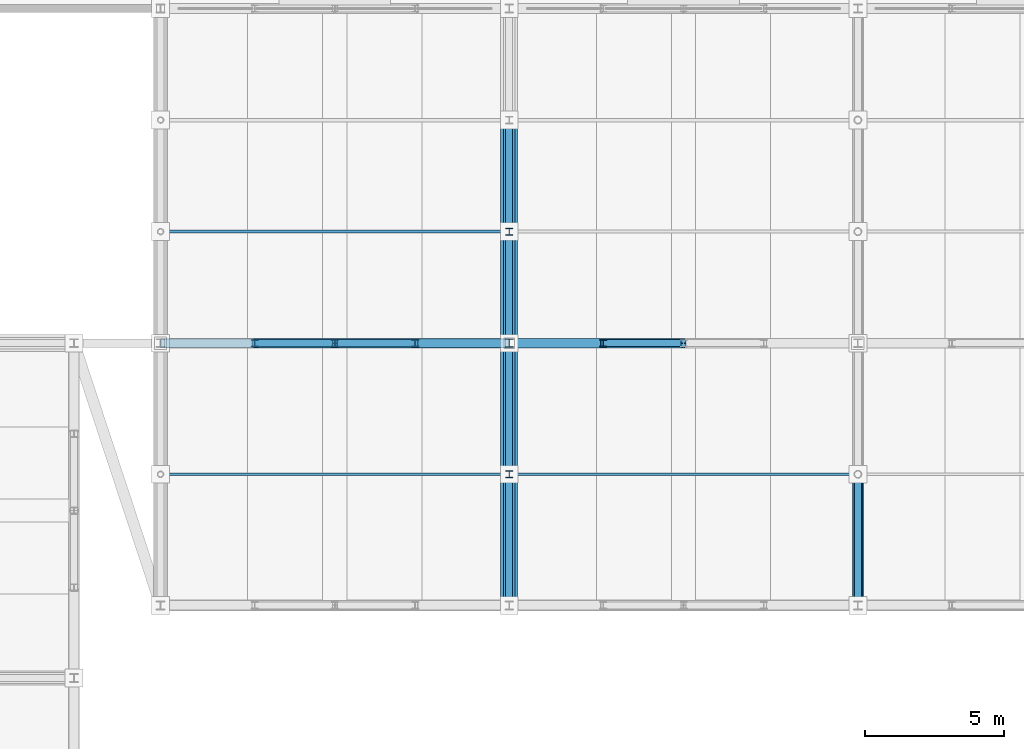
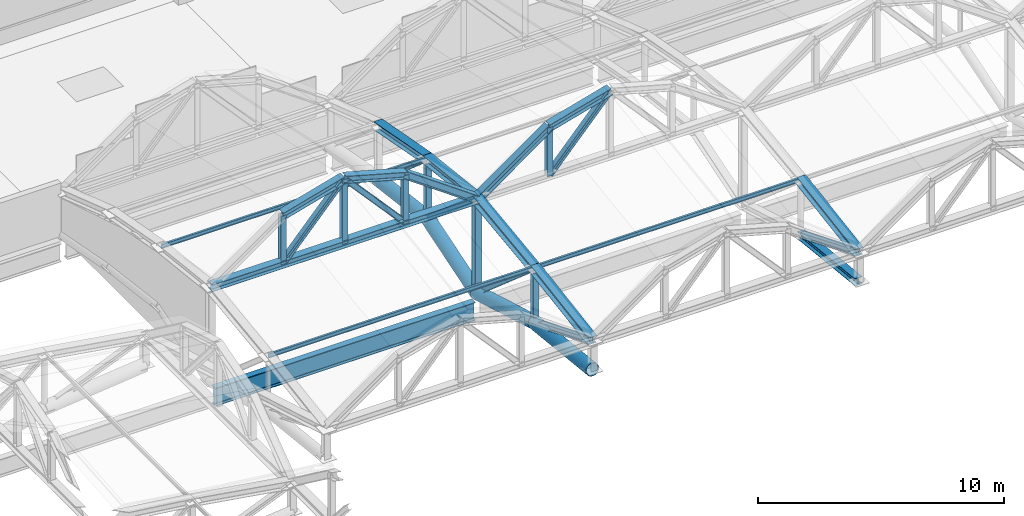
# One storey, part 46 of 117: 34 members, 1 beam.
"""IFC4 building model written with IfcOpenShell, lengths in metres."""

import ifcopenshell
import ifcopenshell.guid

model = None  # the IFC model being written
_history = None  # IfcOwnerHistory: only IFC2X3 demands one
_inside = {}  # id of a spatial element -> (the spatial element, [elements in it])
_under = {}  # id of a project, library or spatial element -> (it, [spatial elements below it])
_declared = {}  # id of a project -> (the project, [libraries it declares])
_typed = {}  # id of a type object -> (the type object, [elements of that type])
_made_of = {}  # id of a material, layer set ... -> (it, [elements and type objects made of it])


def new_model(schema):
    """Start an empty IFC model of exactly this schema.

    Asked for "IFC4X3", IfcOpenShell would pick the latest addendum, in which some entities
    have other attributes; the version numbers below select the first issue.
    IFC2X3 requires an IfcOwnerHistory on every rooted entity: one is made here for all.
    """
    global model, _history
    if schema == "IFC4X3":
        model = ifcopenshell.file(schema_version=(4, 3, 0, 0))
    else:
        model = ifcopenshell.file(schema=schema)
    _inside.clear()
    _under.clear()
    _declared.clear()
    _typed.clear()
    _made_of.clear()
    _history = None
    if model.schema == "IFC2X3":
        org = make("IfcOrganization", Name="unknown")
        user = make(
            "IfcPersonAndOrganization",
            ThePerson=make("IfcPerson", FamilyName="unknown"),
            TheOrganization=org,
        )
        app = make(
            "IfcApplication",
            ApplicationDeveloper=org,
            Version="unknown",
            ApplicationFullName="unknown",
            ApplicationIdentifier="unknown",
        )
        _history = make(
            "IfcOwnerHistory",
            OwningUser=user,
            OwningApplication=app,
            ChangeAction="ADDED",
            CreationDate=0,
        )
    return model


def make(cls, **values):
    """One entity of the class cls with the attributes given. An attribute that is None is left unset."""
    return model.create_entity(
        cls, **{name: value for name, value in values.items() if value is not None}
    )


def rooted(cls, **values):
    """An entity with a GlobalId (a new one), such as an element, a storey or a relation."""
    return make(cls, GlobalId=ifcopenshell.guid.new(), OwnerHistory=_history, **values)


def si_unit(unit_type, name, prefix=None):
    """IfcSIUnit, for example si_unit("LENGTHUNIT", "METRE", prefix="MILLI")."""
    return make("IfcSIUnit", UnitType=unit_type, Prefix=prefix, Name=name)


def assignment(units):
    """IfcUnitAssignment: the units of a project."""
    return None if units is None else make("IfcUnitAssignment", Units=units)


def point(xyz):
    """IfcCartesianPoint."""
    return None if xyz is None else make("IfcCartesianPoint", Coordinates=xyz)


def direction(xyz):
    """IfcDirection."""
    return None if xyz is None else make("IfcDirection", DirectionRatios=xyz)


def frame(location, z_axis=None, x_axis=None):
    """IfcAxis2Placement3D, a coordinate frame: its origin and axes. An axis left out is left unset."""
    return make(
        "IfcAxis2Placement3D",
        Location=point(location),
        Axis=direction(z_axis),
        RefDirection=direction(x_axis),
    )


def frame_2d(location, x_axis=None):
    """IfcAxis2Placement2D, a coordinate frame in the plane: its origin and x axis."""
    return make(
        "IfcAxis2Placement2D", Location=point(location), RefDirection=direction(x_axis)
    )


def origin():
    """The frame at (0, 0, 0) with its axes left unset."""
    return frame((0.0, 0.0, 0.0))


def origin_2d():
    """The frame at (0, 0) in the plane with its x axis left unset."""
    return frame_2d((0.0, 0.0))


def place(relative_to, where):
    """IfcLocalPlacement: puts the frame where relative to a parent placement (None: the world)."""
    return make(
        "IfcLocalPlacement", PlacementRelTo=relative_to, RelativePlacement=where
    )


def context(
    kind, dimensions, precision=None, world=None, true_north=None, identifier=None
):
    """IfcGeometricRepresentationContext, for example the 3D "Model" context."""
    return make(
        "IfcGeometricRepresentationContext",
        ContextIdentifier=identifier,
        ContextType=kind,
        CoordinateSpaceDimension=dimensions,
        Precision=precision,
        WorldCoordinateSystem=world,
        TrueNorth=true_north,
    )


def subcontext(parent, identifier, kind, view, scale=None):
    """IfcGeometricRepresentationSubContext, for example "Body" below "Model"."""
    return make(
        "IfcGeometricRepresentationSubContext",
        ContextIdentifier=identifier,
        ContextType=kind,
        ParentContext=parent,
        TargetScale=scale,
        TargetView=view,
    )


def project(units=None, contexts=None):
    """IfcProject with its units and contexts."""
    return rooted(
        "IfcProject",
        Name="project",
        RepresentationContexts=contexts,
        UnitsInContext=assignment(units),
    )


def spatial(cls, under=None, at=None, **own):
    """A site, building, storey or space (cls), placed at a placement, below another one or the project."""
    s = rooted(cls, ObjectPlacement=at, **own)
    if under is not None:
        _under.setdefault(under.id(), (under, []))[1].append(s)
    return s


def profile(cls, at=None, kind="AREA", **sizes):
    """A parametric profile (cls). Its sizes go by their IFC names, for example OverallWidth=200.0."""
    return make(cls, ProfileType=kind, Position=at, **sizes)


def hollow_circle(**sizes):
    """IfcCircleHollowProfileDef."""
    return profile("IfcCircleHollowProfileDef", **sizes)


def i_section(**sizes):
    """IfcIShapeProfileDef."""
    return profile("IfcIShapeProfileDef", **sizes)


def extrude(swept, where, along, depth):
    """IfcExtrudedAreaSolid: the profile swept, set in the frame where, extruded along a direction by depth."""
    return make(
        "IfcExtrudedAreaSolid",
        SweptArea=swept,
        Position=where,
        ExtrudedDirection=direction(along),
        Depth=depth,
    )


def shape(context_of_items, identifier, shape_type, items):
    """IfcShapeRepresentation: the items that make up one representation, for example the "Body"."""
    return make(
        "IfcShapeRepresentation",
        ContextOfItems=context_of_items,
        RepresentationIdentifier=identifier,
        RepresentationType=shape_type,
        Items=items,
    )


def material(Name=None, Category=None):
    """IfcMaterial."""
    return make("IfcMaterial", Name=Name, Category=Category)


def material_profile(
    of_material, cross_section, Name=None, Category=None, Priority=None
):
    """IfcMaterialProfile: a cross section and its material."""
    return make(
        "IfcMaterialProfile",
        Name=Name,
        Material=of_material,
        Profile=cross_section,
        Priority=Priority,
        Category=Category,
    )


def profile_set(profiles, Name=None, composite=None):
    """IfcMaterialProfileSet."""
    return make(
        "IfcMaterialProfileSet",
        Name=Name,
        MaterialProfiles=profiles,
        CompositeProfile=composite,
    )


def made_of(thing, what):
    """Note that an element or type object is made of a material, layer set ...; save() writes the relation."""
    if what is not None:
        _made_of.setdefault(what.id(), (what, []))[1].append(thing)
    return thing


def type_object(cls, material=None, **own):
    """A type object (cls), such as IfcWallType, which elements share."""
    return made_of(rooted(cls, **own), material)


def element(
    cls,
    number,
    at=None,
    inside=None,
    cuts=None,
    type_object=None,
    material=None,
    context=None,
    identifier="Body",
    shape_type=None,
    held_by="IfcProductDefinitionShape",
    body=None,
    shapes=None,
    **own,
):
    """One element of the class cls, such as IfcWall. Its Tag is "e" and its number.

    at: its placement. inside: the storey or other place that contains it. cuts: it is an
    opening in that element (IfcRelVoidsElement). A single representation is given by context,
    identifier, shape_type and body (its items); several are given by shapes. held_by: the class
    of the entity that holds the representations. save() writes the other relations.
    """
    e = rooted(cls, Tag="e%d" % number, ObjectPlacement=at, **own)
    if body is not None:
        shapes = [shape(context, identifier, shape_type, body)]
    if shapes is not None:
        e.Representation = make(held_by, Representations=shapes)
    if inside is not None:
        _inside.setdefault(inside.id(), (inside, []))[1].append(e)
    if cuts is not None:
        rooted(
            "IfcRelVoidsElement", RelatingBuildingElement=cuts, RelatedOpeningElement=e
        )
    if type_object is not None:
        _typed.setdefault(type_object.id(), (type_object, []))[1].append(e)
    return made_of(e, material)


def aggregate(whole, parts):
    """IfcRelAggregates: a whole, such as a stair, and the parts it consists of."""
    return rooted("IfcRelAggregates", RelatingObject=whole, RelatedObjects=parts)


def save(model, path):
    """Write the relations noted so far, then the file.

    IfcRelAggregates (storeys below a building ...), IfcRelContainedInSpatialStructure (elements
    in a storey), IfcRelDefinesByType, IfcRelAssociatesMaterial and IfcRelDeclares: one each for
    every whole, place, type object, material and project.
    """
    for whole, parts in _under.values():
        aggregate(whole, parts)
    for where, things in _inside.values():
        rooted(
            "IfcRelContainedInSpatialStructure",
            RelatedElements=things,
            RelatingStructure=where,
        )
    for kind, things in _typed.values():
        rooted("IfcRelDefinesByType", RelatedObjects=things, RelatingType=kind)
    for what, things in _made_of.values():
        rooted("IfcRelAssociatesMaterial", RelatedObjects=things, RelatingMaterial=what)
    for by, libraries in _declared.values():
        rooted("IfcRelDeclares", RelatingContext=by, RelatedDefinitions=libraries)
    model.write(path)


model = new_model("IFC4")

# Units and contexts
model_context = context("Model", 3, precision=1e-05, world=origin(), true_north=direction((0.0, 1.0)))
body_context = subcontext(model_context, "Body", "Model", "MODEL_VIEW")
ifc_project = project(units=[si_unit("LENGTHUNIT", "METRE"), si_unit("AREAUNIT", "SQUARE_METRE"), si_unit("VOLUMEUNIT", "CUBIC_METRE"), si_unit("PLANEANGLEUNIT", "RADIAN"), si_unit("MASSUNIT", "GRAM", prefix="KILO")], contexts=[model_context])

# Site, building, storey
site_placement = place(None, origin())
site = spatial("IfcSite", under=ifc_project, at=site_placement, CompositionType="ELEMENT")
building_placement = place(site_placement, origin())
building = spatial("IfcBuilding", under=site, at=building_placement, Name="Kazenohara Klinker Stadium", CompositionType="ELEMENT")
storey_placement = place(building_placement, frame((0.0, 0.0, 31.199951171875)))
storey = spatial("IfcBuildingStorey", under=building, at=storey_placement, Name="RF", CompositionType="ELEMENT", Elevation=31.199951171875)

# Members
ifc_material = material(Name="Steel S355", Category="steel")
ifc_material_profile_1 = material_profile(ifc_material, i_section(OverallWidth=0.25, OverallDepth=0.25, WebThickness=0.009033203125, FlangeThickness=0.013916015625, FilletRadius=0.012939453125, at=origin_2d()), Name="H-250x250x9x14")
ifc_profile_set_1 = profile_set([ifc_material_profile_1], Name="Steel S355")
member_type_1 = type_object("IfcMemberType", Name="MEM-BRC02", PredefinedType="BRACE", material=ifc_profile_set_1)
member_1_placement = place(storey_placement, frame((74.0, 140.0, 0.75), z_axis=(0.0, -0.757253091298, 0.653121547432), x_axis=(1.0, 0.0, 0.0)))
element("IfcMember", 1, at=member_1_placement, inside=storey, type_object=member_type_1, Name="ROOF TRUSS RT-N02 web diagonal 2", PredefinedType="BRACE", context=body_context, shape_type="SweptSolid", body=[
    extrude(i_section(OverallWidth=0.25, OverallDepth=0.25, WebThickness=0.009033203125, FlangeThickness=0.013916015625, FilletRadius=0.012939453125, at=origin_2d()), origin(), (0.0, 0.0, 1.0), 5.2822265625),
])
member_2_placement = place(storey_placement, frame((74.0, 136.0, 1.25), z_axis=(0.0, -0.761925548551, 0.647664618815), x_axis=(1.0, 0.0, 0.0)))
element("IfcMember", 2, at=member_2_placement, inside=storey, type_object=member_type_1, Name="ROOF TRUSS RT-N02 web diagonal 3", PredefinedType="BRACE", context=body_context, shape_type="SweptSolid", body=[
    extrude(i_section(OverallWidth=0.25, OverallDepth=0.25, WebThickness=0.009033203125, FlangeThickness=0.013916015625, FilletRadius=0.012939453125, at=origin_2d()), origin(), (0.0, 0.0, 1.0), 5.249755859375),
])
member_3_placement = place(storey_placement, frame((74.0, 132.0, -0.02001953125), z_axis=(0.0, -0.755945561544, 0.65463448426), x_axis=(1.0, 0.0, 0.0)))
element("IfcMember", 3, at=member_3_placement, inside=storey, type_object=member_type_1, Name="ROOF TRUSS RT-N02 web diagonal 4", PredefinedType="BRACE", context=body_context, shape_type="SweptSolid", body=[
    extrude(i_section(OverallWidth=0.25, OverallDepth=0.25, WebThickness=0.009033203125, FlangeThickness=0.013916015625, FilletRadius=0.012939453125, at=origin_2d()), origin(), (0.0, 0.0, 1.0), 6.21728515625),
])
for number, where, z_axis, x_axis, name in (
    (4, (74.0, 127.300048828125, 1.35009765625), (0.0, -0.923659284192, 0.383214726655), (1.0, 0.0, 0.0), "ROOF TRUSS RT-N02 web diagonal 5"),
    (5, (86.5, 127.300048828125, 1.35009765625), (0.0, -0.923659284192, 0.383214726655), (1.0, 0.0, 0.0), "ROOF TRUSS RT-N03 web diagonal 5"),
):
    element("IfcMember", number, at=place(storey_placement, frame(where, z_axis=z_axis, x_axis=x_axis)), inside=storey, type_object=member_type_1, Name=name, PredefinedType="BRACE", context=body_context, shape_type="SweptSolid", body=[
        extrude(i_section(OverallWidth=0.25, OverallDepth=0.25, WebThickness=0.009033203125, FlangeThickness=0.013916015625, FilletRadius=0.012939453125, at=origin_2d()), origin(), (0.0, 0.0, 1.0), 5.08837890625),
    ])
ifc_material_profile_2 = material_profile(ifc_material, i_section(OverallWidth=0.39990234375, OverallDepth=0.39990234375, WebThickness=0.012939453125, FlangeThickness=0.02099609375, FilletRadius=0.02197265625, at=origin_2d()), Name="H-400x400x13x21")
ifc_profile_set_2 = profile_set([ifc_material_profile_2], Name="Steel S355")
member_type_2 = type_object("IfcMemberType", Name="MEM-CHD01", PredefinedType="CHORD", material=ifc_profile_set_2)
member_4_placement = place(storey_placement, frame((74.0, 140.0, 3.449951171875), z_axis=(0.0, -0.982872186934, 0.18428853505), x_axis=(1.0, 0.0, 0.0)))
element("IfcMember", 6, at=member_4_placement, inside=storey, type_object=member_type_2, Name="ROOF TRUSS RT-N02 top arched chord 2", PredefinedType="CHORD", context=body_context, shape_type="SweptSolid", body=[
    extrude(i_section(OverallWidth=0.39990234375, OverallDepth=0.39990234375, WebThickness=0.012939453125, FlangeThickness=0.02099609375, FilletRadius=0.02197265625, at=origin_2d()), origin(), (0.0, 0.0, 1.0), 4.06982421875),
])
member_5_placement = place(storey_placement, frame((74.0, 136.0, 4.199951171875), z_axis=(0.0, -0.993725924527, 0.111842688283), x_axis=(1.0, 0.0, 0.0)))
element("IfcMember", 7, at=member_5_placement, inside=storey, type_object=member_type_2, Name="ROOF TRUSS RT-N02 top arched chord 3", PredefinedType="CHORD", context=body_context, shape_type="SweptSolid", body=[
    extrude(i_section(OverallWidth=0.39990234375, OverallDepth=0.39990234375, WebThickness=0.012939453125, FlangeThickness=0.02099609375, FilletRadius=0.02197265625, at=origin_2d()), origin(), (0.0, 0.0, 1.0), 4.025146484375),
])
member_6_placement = place(storey_placement, frame((74.0, 132.0, 4.650146484375), z_axis=(0.0, -0.99194702514, -0.126653461524), x_axis=(1.0, 0.0, 0.0)))
element("IfcMember", 8, at=member_6_placement, inside=storey, type_object=member_type_2, Name="ROOF TRUSS RT-N02 top arched chord 4", PredefinedType="CHORD", context=body_context, shape_type="SweptSolid", body=[
    extrude(i_section(OverallWidth=0.39990234375, OverallDepth=0.39990234375, WebThickness=0.012939453125, FlangeThickness=0.02099609375, FilletRadius=0.02197265625, at=origin_2d()), origin(), (0.0, 0.0, 1.0), 4.738037109375),
])
for number, where, z_axis, x_axis, name in (
    (9, (74.0, 127.300048828125, 4.050048828125), (0.0, -0.987505848374, -0.157582357602), (1.0, 0.0, 0.0), "ROOF TRUSS RT-N02 top arched chord 5"),
    (10, (86.5, 127.300048828125, 4.050048828125), (0.0, -0.987505848374, -0.157582357602), (1.0, 0.0, 0.0), "ROOF TRUSS RT-N03 top arched chord 5"),
):
    element("IfcMember", number, at=place(storey_placement, frame(where, z_axis=z_axis, x_axis=x_axis)), inside=storey, type_object=member_type_2, Name=name, PredefinedType="CHORD", context=body_context, shape_type="SweptSolid", body=[
        extrude(i_section(OverallWidth=0.39990234375, OverallDepth=0.39990234375, WebThickness=0.012939453125, FlangeThickness=0.02099609375, FilletRadius=0.02197265625, at=origin_2d()), origin(), (0.0, 0.0, 1.0), 4.759521484375),
    ])
ifc_material_profile_3 = material_profile(ifc_material, i_section(OverallWidth=0.35009765625, OverallDepth=0.35009765625, WebThickness=0.011962890625, FlangeThickness=0.01904296875, FilletRadius=0.012939453125, at=origin_2d()), Name="H-350x350x12x19")
ifc_profile_set_3 = profile_set([ifc_material_profile_3], Name="Steel S355")
member_type_3 = type_object("IfcMemberType", Name="MEM-CHD02", PredefinedType="CHORD", material=ifc_profile_set_3)
member_7_placement = place(storey_placement, frame((86.5, 127.300048828125, 1.35009765625), z_axis=(0.0, -0.99438879757, 0.105787141313), x_axis=(1.0, 0.0, 0.0)))
element("IfcMember", 11, at=member_7_placement, inside=storey, type_object=member_type_3, Name="ROOF TRUSS RT-N03 bottom arched chord 5", PredefinedType="CHORD", context=body_context, shape_type="SweptSolid", body=[
    extrude(i_section(OverallWidth=0.35009765625, OverallDepth=0.35009765625, WebThickness=0.011962890625, FlangeThickness=0.01904296875, FilletRadius=0.012939453125, at=origin_2d()), origin(), (0.0, 0.0, 1.0), 4.7265625),
])
member_8_placement = place(storey_placement, frame((61.5, 132.0, 4.650146484375), z_axis=(1.0, 0.0, 0.0), x_axis=(0.0, 1.0, 0.0)))
element("IfcMember", 12, at=member_8_placement, inside=storey, type_object=member_type_3, Name="Barrel arch tie chord TC02 N-01-N3", PredefinedType="CHORD", context=body_context, shape_type="SweptSolid", body=[
    extrude(i_section(OverallWidth=0.35009765625, OverallDepth=0.35009765625, WebThickness=0.011962890625, FlangeThickness=0.01904296875, FilletRadius=0.012939453125, at=origin_2d()), origin(), (0.0, 0.0, 1.0), 12.5),
])
for number, where, z_axis, x_axis, name in (
    (13, (64.875, 132.0, 7.050048828125), (0.963393567269, 0.0, 0.268091093745), (0.0, 1.0, 0.0), "Barrel arch top rib TC02 N-01-N3-S2"),
    (14, (67.75, 132.0, 7.85009765625), (0.963393567269, 0.0, -0.268091093745), (0.0, 1.0, 0.0), "Barrel arch top rib TC02 N-01-N3-S3"),
):
    element("IfcMember", number, at=place(storey_placement, frame(where, z_axis=z_axis, x_axis=x_axis)), inside=storey, type_object=member_type_3, Name=name, PredefinedType="CHORD", context=body_context, shape_type="SweptSolid", body=[
        extrude(i_section(OverallWidth=0.35009765625, OverallDepth=0.35009765625, WebThickness=0.011962890625, FlangeThickness=0.01904296875, FilletRadius=0.012939453125, at=origin_2d()), origin(), (0.0, 0.0, 1.0), 2.984130859375),
    ])
for number, where, z_axis, x_axis, name in (
    (15, (70.625, 132.0, 7.050048828125), (0.814966461491, 0.0, -0.579508124744), (0.0, 1.0, 0.0), "Barrel arch top rib TC02 N-01-N3-S4"),
    (16, (74.0, 132.0, 4.650146484375), (0.814966461491, 0.0, 0.579508124744), (0.0, 1.0, 0.0), "Barrel arch top rib TC02 N-02-N3-S1"),
):
    element("IfcMember", number, at=place(storey_placement, frame(where, z_axis=z_axis, x_axis=x_axis)), inside=storey, type_object=member_type_3, Name=name, PredefinedType="CHORD", context=body_context, shape_type="SweptSolid", body=[
        extrude(i_section(OverallWidth=0.35009765625, OverallDepth=0.35009765625, WebThickness=0.011962890625, FlangeThickness=0.01904296875, FilletRadius=0.012939453125, at=origin_2d()), origin(), (0.0, 0.0, 1.0), 4.141357421875),
    ])
member_9_placement = place(storey_placement, frame((77.375, 132.0, 7.050048828125), z_axis=(0.963393567269, 0.0, 0.268091093745), x_axis=(0.0, 1.0, 0.0)))
element("IfcMember", 17, at=member_9_placement, inside=storey, type_object=member_type_3, Name="Barrel arch top rib TC02 N-02-N3-S2", PredefinedType="CHORD", context=body_context, shape_type="SweptSolid", body=[
    extrude(i_section(OverallWidth=0.35009765625, OverallDepth=0.35009765625, WebThickness=0.011962890625, FlangeThickness=0.01904296875, FilletRadius=0.012939453125, at=origin_2d()), origin(), (0.0, 0.0, 1.0), 2.984130859375),
])
ifc_material_profile_4 = material_profile(ifc_material, hollow_circle(Radius=0.3046875, WallThickness=0.01611328125, at=origin_2d()), Name="CHS-609.6x16")
ifc_profile_set_4 = profile_set([ifc_material_profile_4], Name="Steel S355")
member_type_4 = type_object("IfcMemberType", Name="MEM-CHD05", PredefinedType="CHORD", material=ifc_profile_set_4)
member_10_placement = place(storey_placement, frame((74.0, 140.0, 0.75), z_axis=(0.0, -0.992277876714, 0.124034734589), x_axis=(1.0, 0.0, 0.0)))
element("IfcMember", 18, at=member_10_placement, inside=storey, type_object=member_type_4, Name="ROOF TRUSS RT-N02 bottom arched chord 2", PredefinedType="CHORD", context=body_context, shape_type="SweptSolid", body=[
    extrude(hollow_circle(Radius=0.3046875, WallThickness=0.01611328125, at=origin_2d()), origin(), (0.0, 0.0, 1.0), 4.03125),
])
member_11_placement = place(storey_placement, frame((74.0, 136.0, 1.25), z_axis=(0.0, -0.953112016541, -0.302617719119), x_axis=(1.0, 0.0, 0.0)))
element("IfcMember", 19, at=member_11_placement, inside=storey, type_object=member_type_4, Name="ROOF TRUSS RT-N02 bottom arched chord 3", PredefinedType="CHORD", context=body_context, shape_type="SweptSolid", body=[
    extrude(hollow_circle(Radius=0.3046875, WallThickness=0.01611328125, at=origin_2d()), origin(), (0.0, 0.0, 1.0), 4.19677734375),
])
member_12_placement = place(storey_placement, frame((74.0, 132.0, -0.02001953125), z_axis=(0.0, -0.960038530088, 0.279867863012), x_axis=(1.0, 0.0, 0.0)))
element("IfcMember", 20, at=member_12_placement, inside=storey, type_object=member_type_4, Name="ROOF TRUSS RT-N02 bottom arched chord 4", PredefinedType="CHORD", context=body_context, shape_type="SweptSolid", body=[
    extrude(hollow_circle(Radius=0.3046875, WallThickness=0.01611328125, at=origin_2d()), origin(), (0.0, 0.0, 1.0), 4.8955078125),
])
member_13_placement = place(storey_placement, frame((74.0, 127.300048828125, 1.35009765625), z_axis=(0.0, -0.99438879757, 0.105787141313), x_axis=(1.0, 0.0, 0.0)))
element("IfcMember", 21, at=member_13_placement, inside=storey, type_object=member_type_4, Name="ROOF TRUSS RT-N02 bottom arched chord 5", PredefinedType="CHORD", context=body_context, shape_type="SweptSolid", body=[
    extrude(hollow_circle(Radius=0.3046875, WallThickness=0.01611328125, at=origin_2d()), origin(), (0.0, 0.0, 1.0), 4.7265625),
])
ifc_material_profile_5 = material_profile(ifc_material, i_section(OverallWidth=0.10009765625, OverallDepth=0.199951171875, WebThickness=0.005615234375, FlangeThickness=0.008056640625, FilletRadius=0.008056640625, at=origin_2d()), Name="H-200x100x5.5x8")
ifc_profile_set_5 = profile_set([ifc_material_profile_5], Name="Steel S355")
member_type_5 = type_object("IfcMemberType", Name="MEM-PUR02", PredefinedType="PURLIN", material=ifc_profile_set_5)
for number, where, z_axis, x_axis, name in (
    (22, (61.5, 136.0, 4.219970703125), (1.0, 0.0, 0.0), (0.0, 1.0, 0.0), "Canopy valley tie purlin PR02 N-01-N2"),
    (23, (61.5, 127.300048828125, 4.070068359375), (1.0, 0.0, 0.0), (0.0, 1.0, 0.0), "Canopy valley tie purlin PR02 N-01-N4"),
    (24, (74.0, 127.300048828125, 4.070068359375), (1.0, 0.0, 0.0), (0.0, 1.0, 0.0), "Canopy valley tie purlin PR02 N-02-N4"),
):
    element("IfcMember", number, at=place(storey_placement, frame(where, z_axis=z_axis, x_axis=x_axis)), inside=storey, type_object=member_type_5, Name=name, PredefinedType="PURLIN", context=body_context, shape_type="SweptSolid", body=[
        extrude(i_section(OverallWidth=0.10009765625, OverallDepth=0.199951171875, WebThickness=0.005615234375, FlangeThickness=0.008056640625, FilletRadius=0.008056640625, at=origin_2d()), origin(), (0.0, 0.0, 1.0), 12.5),
    ])
ifc_material_profile_6 = material_profile(ifc_material, i_section(OverallWidth=0.300048828125, OverallDepth=0.300048828125, WebThickness=0.010009765625, FlangeThickness=0.014892578125, FilletRadius=0.012939453125, at=origin_2d()), Name="H-300x300x10x15")
ifc_profile_set_6 = profile_set([ifc_material_profile_6], Name="Steel S355")
member_type_6 = type_object("IfcMemberType", Name="MEM-STR01", PredefinedType="STRUT", material=ifc_profile_set_6)
member_14_placement = place(storey_placement, frame((74.0, 132.0, -0.02001953125), z_axis=(0.0, 0.0, 1.0), x_axis=(1.0, 0.0, 0.0)))
element("IfcMember", 25, at=member_14_placement, inside=storey, type_object=member_type_6, Name="ROOF TRUSS RT-N02 web post 4", PredefinedType="STRUT", context=body_context, shape_type="SweptSolid", body=[
    extrude(i_section(OverallWidth=0.300048828125, OverallDepth=0.300048828125, WebThickness=0.010009765625, FlangeThickness=0.014892578125, FilletRadius=0.012939453125, at=origin_2d()), origin(), (0.0, 0.0, 1.0), 4.670166015625),
])
ifc_material_profile_7 = material_profile(ifc_material, i_section(OverallWidth=0.25, OverallDepth=0.25, WebThickness=0.009033203125, FlangeThickness=0.013916015625, FilletRadius=0.012939453125, at=origin_2d()), Name="H-250x250x9x14")
ifc_profile_set_7 = profile_set([ifc_material_profile_7], Name="Steel S355")
member_type_7 = type_object("IfcMemberType", Name="MEM-STR02", PredefinedType="STRUT", material=ifc_profile_set_7)
member_15_placement = place(storey_placement, frame((74.0, 136.0, 1.25), z_axis=(0.0, 0.0, 1.0), x_axis=(1.0, 0.0, 0.0)))
element("IfcMember", 26, at=member_15_placement, inside=storey, type_object=member_type_7, Name="ROOF TRUSS RT-N02 web post 3", PredefinedType="STRUT", context=body_context, shape_type="SweptSolid", body=[
    extrude(i_section(OverallWidth=0.25, OverallDepth=0.25, WebThickness=0.009033203125, FlangeThickness=0.013916015625, FilletRadius=0.012939453125, at=origin_2d()), origin(), (0.0, 0.0, 1.0), 2.949951171875),
])
member_16_placement = place(storey_placement, frame((74.0, 127.300048828125, 1.35009765625), z_axis=(0.0, 0.0, 1.0), x_axis=(1.0, 0.0, 0.0)))
element("IfcMember", 27, at=member_16_placement, inside=storey, type_object=member_type_7, Name="ROOF TRUSS RT-N02 web post 5", PredefinedType="STRUT", context=body_context, shape_type="SweptSolid", body=[
    extrude(i_section(OverallWidth=0.25, OverallDepth=0.25, WebThickness=0.009033203125, FlangeThickness=0.013916015625, FilletRadius=0.012939453125, at=origin_2d()), origin(), (0.0, 0.0, 1.0), 2.699951171875),
])
member_17_placement = place(storey_placement, frame((64.875, 132.0, 4.650146484375), z_axis=(0.0, 0.0, 1.0), x_axis=(1.0, 0.0, 0.0)))
element("IfcMember", 28, at=member_17_placement, inside=storey, type_object=member_type_7, Name="Barrel arch web post TS02 N-01-N3-P1", PredefinedType="STRUT", context=body_context, shape_type="SweptSolid", body=[
    extrude(i_section(OverallWidth=0.25, OverallDepth=0.25, WebThickness=0.009033203125, FlangeThickness=0.013916015625, FilletRadius=0.012939453125, at=origin_2d()), origin(), (0.0, 0.0, 1.0), 2.39990234375),
])
member_18_placement = place(storey_placement, frame((67.75, 132.0, 4.650146484375), z_axis=(0.0, 0.0, 1.0), x_axis=(1.0, 0.0, 0.0)))
element("IfcMember", 29, at=member_18_placement, inside=storey, type_object=member_type_7, Name="Barrel arch web post TS02 N-01-N3-P2", PredefinedType="STRUT", context=body_context, shape_type="SweptSolid", body=[
    extrude(i_section(OverallWidth=0.25, OverallDepth=0.25, WebThickness=0.009033203125, FlangeThickness=0.013916015625, FilletRadius=0.012939453125, at=origin_2d()), origin(), (0.0, 0.0, 1.0), 3.199951171875),
])
member_19_placement = place(storey_placement, frame((70.625, 132.0, 4.650146484375), z_axis=(0.0, 0.0, 1.0), x_axis=(1.0, 0.0, 0.0)))
element("IfcMember", 30, at=member_19_placement, inside=storey, type_object=member_type_7, Name="Barrel arch web post TS02 N-01-N3-P3", PredefinedType="STRUT", context=body_context, shape_type="SweptSolid", body=[
    extrude(i_section(OverallWidth=0.25, OverallDepth=0.25, WebThickness=0.009033203125, FlangeThickness=0.013916015625, FilletRadius=0.012939453125, at=origin_2d()), origin(), (0.0, 0.0, 1.0), 2.39990234375),
])
for number, where, z_axis, x_axis, name in (
    (31, (64.875, 132.0, 4.650146484375), (0.668327970369, 0.0, 0.74386673808), (0.0, 1.0, 0.0), "Barrel arch web diagonal TS02 N-01-N3-D1"),
    (32, (70.625, 132.0, 4.650146484375), (-0.668327970369, 0.0, 0.74386673808), (0.0, -1.0, 0.0), "Barrel arch web diagonal TS02 N-01-N3-D2"),
):
    element("IfcMember", number, at=place(storey_placement, frame(where, z_axis=z_axis, x_axis=x_axis)), inside=storey, type_object=member_type_7, Name=name, PredefinedType="STRUT", context=body_context, shape_type="SweptSolid", body=[
        extrude(i_section(OverallWidth=0.25, OverallDepth=0.25, WebThickness=0.009033203125, FlangeThickness=0.013916015625, FilletRadius=0.012939453125, at=origin_2d()), origin(), (0.0, 0.0, 1.0), 4.3017578125),
    ])
member_20_placement = place(storey_placement, frame((77.375, 132.0, 4.650146484375), z_axis=(0.0, 0.0, 1.0), x_axis=(1.0, 0.0, 0.0)))
element("IfcMember", 33, at=member_20_placement, inside=storey, type_object=member_type_7, Name="Barrel arch web post TS02 N-02-N3-P1", PredefinedType="STRUT", context=body_context, shape_type="SweptSolid", body=[
    extrude(i_section(OverallWidth=0.25, OverallDepth=0.25, WebThickness=0.009033203125, FlangeThickness=0.013916015625, FilletRadius=0.012939453125, at=origin_2d()), origin(), (0.0, 0.0, 1.0), 2.39990234375),
])
member_21_placement = place(storey_placement, frame((77.375, 132.0, 4.650146484375), z_axis=(0.668327970369, 0.0, 0.74386673808), x_axis=(0.0, 1.0, 0.0)))
element("IfcMember", 34, at=member_21_placement, inside=storey, type_object=member_type_7, Name="Barrel arch web diagonal TS02 N-02-N3-D1", PredefinedType="STRUT", context=body_context, shape_type="SweptSolid", body=[
    extrude(i_section(OverallWidth=0.25, OverallDepth=0.25, WebThickness=0.009033203125, FlangeThickness=0.013916015625, FilletRadius=0.012939453125, at=origin_2d()), origin(), (0.0, 0.0, 1.0), 4.3017578125),
])

# Beam
ifc_material_profile_8 = material_profile(ifc_material, i_section(OverallWidth=0.300048828125, OverallDepth=0.89990234375, WebThickness=0.01611328125, FlangeThickness=0.028076171875, FilletRadius=0.02197265625, at=origin_2d()), Name="H-900x300x16x28")
ifc_profile_set_8 = profile_set([ifc_material_profile_8], Name="Steel S355")
beam_type = type_object("IfcBeamType", Name="RING-RB01", PredefinedType="USERDEFINED", material=ifc_profile_set_8)
beam_placement = place(storey_placement, frame((61.639892578125, 132.0, -0.820068359375), z_axis=(1.0, 0.0, 0.0), x_axis=(0.0, 1.0, 0.0)))
element("IfcBeam", 35, at=beam_placement, inside=storey, type_object=beam_type, Name="Roof ring beam RB01 N-IN 6-7", ObjectType="RING BEAM", PredefinedType="USERDEFINED", context=body_context, shape_type="SweptSolid", body=[
    extrude(i_section(OverallWidth=0.300048828125, OverallDepth=0.89990234375, WebThickness=0.01611328125, FlangeThickness=0.028076171875, FilletRadius=0.02197265625, at=origin_2d()), origin(), (0.0, 0.0, 1.0), 12.22021484375),
])

save(model, "model.ifc")
